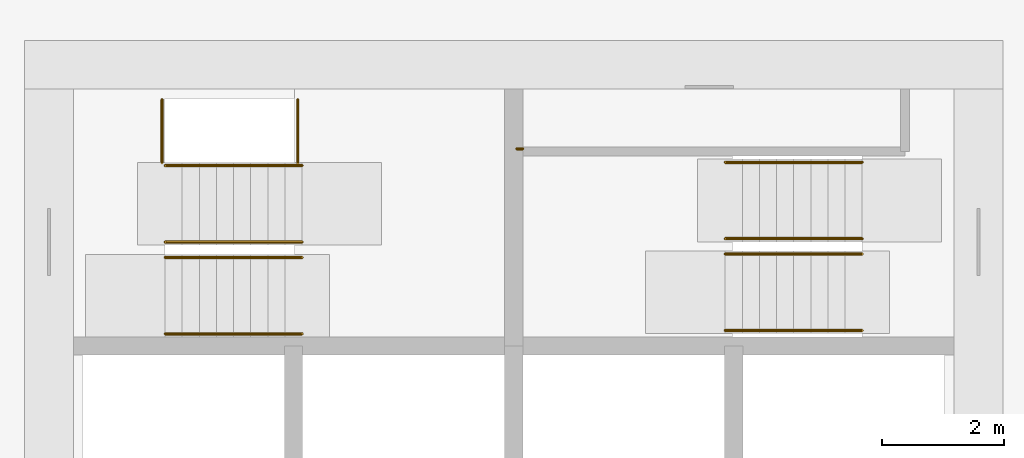
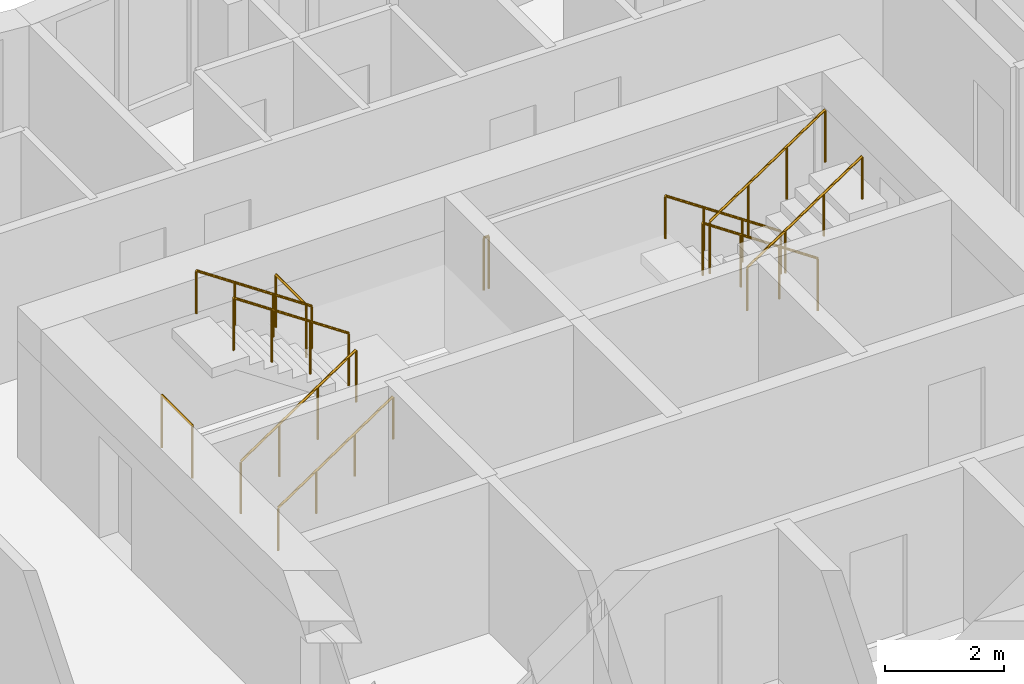
# One storey, part 12 of 13: 11 railings.
"""IFC4 building model written with IfcOpenShell, lengths in metres."""

import ifcopenshell
import ifcopenshell.guid

model = None  # the IFC model being written
_history = None  # IfcOwnerHistory: only IFC2X3 demands one
_inside = {}  # id of a spatial element -> (the spatial element, [elements in it])
_under = {}  # id of a project, library or spatial element -> (it, [spatial elements below it])
_declared = {}  # id of a project -> (the project, [libraries it declares])
_typed = {}  # id of a type object -> (the type object, [elements of that type])
_made_of = {}  # id of a material, layer set ... -> (it, [elements and type objects made of it])


def new_model(schema):
    """Start an empty IFC model of exactly this schema.

    Asked for "IFC4X3", IfcOpenShell would pick the latest addendum, in which some entities
    have other attributes; the version numbers below select the first issue.
    IFC2X3 requires an IfcOwnerHistory on every rooted entity: one is made here for all.
    """
    global model, _history
    if schema == "IFC4X3":
        model = ifcopenshell.file(schema_version=(4, 3, 0, 0))
    else:
        model = ifcopenshell.file(schema=schema)
    _inside.clear()
    _under.clear()
    _declared.clear()
    _typed.clear()
    _made_of.clear()
    _history = None
    if model.schema == "IFC2X3":
        org = make("IfcOrganization", Name="unknown")
        user = make(
            "IfcPersonAndOrganization",
            ThePerson=make("IfcPerson", FamilyName="unknown"),
            TheOrganization=org,
        )
        app = make(
            "IfcApplication",
            ApplicationDeveloper=org,
            Version="unknown",
            ApplicationFullName="unknown",
            ApplicationIdentifier="unknown",
        )
        _history = make(
            "IfcOwnerHistory",
            OwningUser=user,
            OwningApplication=app,
            ChangeAction="ADDED",
            CreationDate=0,
        )
    return model


def make(cls, **values):
    """One entity of the class cls with the attributes given. An attribute that is None is left unset."""
    return model.create_entity(
        cls, **{name: value for name, value in values.items() if value is not None}
    )


def rooted(cls, **values):
    """An entity with a GlobalId (a new one), such as an element, a storey or a relation."""
    return make(cls, GlobalId=ifcopenshell.guid.new(), OwnerHistory=_history, **values)


def si_unit(unit_type, name, prefix=None):
    """IfcSIUnit, for example si_unit("LENGTHUNIT", "METRE", prefix="MILLI")."""
    return make("IfcSIUnit", UnitType=unit_type, Prefix=prefix, Name=name)


def assignment(units):
    """IfcUnitAssignment: the units of a project."""
    return None if units is None else make("IfcUnitAssignment", Units=units)


def point(xyz):
    """IfcCartesianPoint."""
    return None if xyz is None else make("IfcCartesianPoint", Coordinates=xyz)


def direction(xyz):
    """IfcDirection."""
    return None if xyz is None else make("IfcDirection", DirectionRatios=xyz)


def frame(location, z_axis=None, x_axis=None):
    """IfcAxis2Placement3D, a coordinate frame: its origin and axes. An axis left out is left unset."""
    return make(
        "IfcAxis2Placement3D",
        Location=point(location),
        Axis=direction(z_axis),
        RefDirection=direction(x_axis),
    )


def frame_2d(location, x_axis=None):
    """IfcAxis2Placement2D, a coordinate frame in the plane: its origin and x axis."""
    return make(
        "IfcAxis2Placement2D", Location=point(location), RefDirection=direction(x_axis)
    )


def origin():
    """The frame at (0, 0, 0) with its axes left unset."""
    return frame((0.0, 0.0, 0.0))


def origin_2d():
    """The frame at (0, 0) in the plane with its x axis left unset."""
    return frame_2d((0.0, 0.0))


def place(relative_to, where):
    """IfcLocalPlacement: puts the frame where relative to a parent placement (None: the world)."""
    return make(
        "IfcLocalPlacement", PlacementRelTo=relative_to, RelativePlacement=where
    )


def context(
    kind, dimensions, precision=None, world=None, true_north=None, identifier=None
):
    """IfcGeometricRepresentationContext, for example the 3D "Model" context."""
    return make(
        "IfcGeometricRepresentationContext",
        ContextIdentifier=identifier,
        ContextType=kind,
        CoordinateSpaceDimension=dimensions,
        Precision=precision,
        WorldCoordinateSystem=world,
        TrueNorth=true_north,
    )


def subcontext(parent, identifier, kind, view, scale=None):
    """IfcGeometricRepresentationSubContext, for example "Body" below "Model"."""
    return make(
        "IfcGeometricRepresentationSubContext",
        ContextIdentifier=identifier,
        ContextType=kind,
        ParentContext=parent,
        TargetScale=scale,
        TargetView=view,
    )


def project(units=None, contexts=None):
    """IfcProject with its units and contexts."""
    return rooted(
        "IfcProject",
        Name="project",
        RepresentationContexts=contexts,
        UnitsInContext=assignment(units),
    )


def spatial(cls, under=None, at=None, **own):
    """A site, building, storey or space (cls), placed at a placement, below another one or the project."""
    s = rooted(cls, ObjectPlacement=at, **own)
    if under is not None:
        _under.setdefault(under.id(), (under, []))[1].append(s)
    return s


def profile(cls, at=None, kind="AREA", **sizes):
    """A parametric profile (cls). Its sizes go by their IFC names, for example OverallWidth=200.0."""
    return make(cls, ProfileType=kind, Position=at, **sizes)


def circle(**sizes):
    """IfcCircleProfileDef."""
    return profile("IfcCircleProfileDef", **sizes)


def extrude(swept, where, along, depth):
    """IfcExtrudedAreaSolid: the profile swept, set in the frame where, extruded along a direction by depth."""
    return make(
        "IfcExtrudedAreaSolid",
        SweptArea=swept,
        Position=where,
        ExtrudedDirection=direction(along),
        Depth=depth,
    )


def shape(context_of_items, identifier, shape_type, items):
    """IfcShapeRepresentation: the items that make up one representation, for example the "Body"."""
    return make(
        "IfcShapeRepresentation",
        ContextOfItems=context_of_items,
        RepresentationIdentifier=identifier,
        RepresentationType=shape_type,
        Items=items,
    )


def material(Name=None, Category=None):
    """IfcMaterial."""
    return make("IfcMaterial", Name=Name, Category=Category)


def made_of(thing, what):
    """Note that an element or type object is made of a material, layer set ...; save() writes the relation."""
    if what is not None:
        _made_of.setdefault(what.id(), (what, []))[1].append(thing)
    return thing


def type_object(cls, material=None, **own):
    """A type object (cls), such as IfcWallType, which elements share."""
    return made_of(rooted(cls, **own), material)


def element(
    cls,
    number,
    at=None,
    inside=None,
    cuts=None,
    type_object=None,
    material=None,
    context=None,
    identifier="Body",
    shape_type=None,
    held_by="IfcProductDefinitionShape",
    body=None,
    shapes=None,
    **own,
):
    """One element of the class cls, such as IfcWall. Its Tag is "e" and its number.

    at: its placement. inside: the storey or other place that contains it. cuts: it is an
    opening in that element (IfcRelVoidsElement). A single representation is given by context,
    identifier, shape_type and body (its items); several are given by shapes. held_by: the class
    of the entity that holds the representations. save() writes the other relations.
    """
    e = rooted(cls, Tag="e%d" % number, ObjectPlacement=at, **own)
    if body is not None:
        shapes = [shape(context, identifier, shape_type, body)]
    if shapes is not None:
        e.Representation = make(held_by, Representations=shapes)
    if inside is not None:
        _inside.setdefault(inside.id(), (inside, []))[1].append(e)
    if cuts is not None:
        rooted(
            "IfcRelVoidsElement", RelatingBuildingElement=cuts, RelatedOpeningElement=e
        )
    if type_object is not None:
        _typed.setdefault(type_object.id(), (type_object, []))[1].append(e)
    return made_of(e, material)


def aggregate(whole, parts):
    """IfcRelAggregates: a whole, such as a stair, and the parts it consists of."""
    return rooted("IfcRelAggregates", RelatingObject=whole, RelatedObjects=parts)


def save(model, path):
    """Write the relations noted so far, then the file.

    IfcRelAggregates (storeys below a building ...), IfcRelContainedInSpatialStructure (elements
    in a storey), IfcRelDefinesByType, IfcRelAssociatesMaterial and IfcRelDeclares: one each for
    every whole, place, type object, material and project.
    """
    for whole, parts in _under.values():
        aggregate(whole, parts)
    for where, things in _inside.values():
        rooted(
            "IfcRelContainedInSpatialStructure",
            RelatedElements=things,
            RelatingStructure=where,
        )
    for kind, things in _typed.values():
        rooted("IfcRelDefinesByType", RelatedObjects=things, RelatingType=kind)
    for what, things in _made_of.values():
        rooted("IfcRelAssociatesMaterial", RelatedObjects=things, RelatingMaterial=what)
    for by, libraries in _declared.values():
        rooted("IfcRelDeclares", RelatingContext=by, RelatedDefinitions=libraries)
    model.write(path)


model = new_model("IFC4")

# Units and contexts
model_context = context("Model", 3, precision=1e-05, world=origin(), true_north=direction((0.0, 1.0)))
body_context = subcontext(model_context, "Body", "Model", "MODEL_VIEW")
ifc_project = project(units=[si_unit("LENGTHUNIT", "METRE"), si_unit("AREAUNIT", "SQUARE_METRE"), si_unit("VOLUMEUNIT", "CUBIC_METRE"), si_unit("PLANEANGLEUNIT", "RADIAN"), si_unit("MASSUNIT", "GRAM", prefix="KILO")], contexts=[model_context])

# Site, building, storey
site_placement = place(None, origin())
site = spatial("IfcSite", under=ifc_project, at=site_placement, CompositionType="ELEMENT")
building_placement = place(site_placement, origin())
building = spatial("IfcBuilding", under=site, at=building_placement, Name="Windrow Commons", CompositionType="ELEMENT")
storey_placement = place(building_placement, frame((0.0, 0.0, 91.4)))
storey = spatial("IfcBuildingStorey", under=building, at=storey_placement, Name="L24", CompositionType="ELEMENT", Elevation=91.4)

# Railings
ifc_material_1 = material(Name="Steel S355", Category="steel")
railing_type_1 = type_object("IfcRailingType", Name="Core stair guard 1100", PredefinedType="GUARDRAIL", material=ifc_material_1)
railing_1_placement = place(storey_placement, frame((59.1, 62.05, 0.1889)))
element("IfcRailing", 1, at=railing_1_placement, inside=storey, type_object=railing_type_1, Name="L24 ST-A1 stair guard 1", PredefinedType="GUARDRAIL", context=body_context, shape_type="SweptSolid", body=[
    extrude(circle(Radius=0.024, at=origin_2d()), frame((0.0, 0.0, 1.076), z_axis=(0.8290030985, 0.0, 0.5592440099), x_axis=(0.0, 1.0, 0.0)), (0.0, 0.0, 1.0), 2.702),
    extrude(circle(Radius=0.021, at=origin_2d()), origin(), (0.0, 0.0, 1.0), 1.052),
    extrude(circle(Radius=0.021, at=origin_2d()), frame((0.7467, 0.0, 0.5037)), (0.0, 0.0, 1.0), 1.052),
    extrude(circle(Radius=0.021, at=origin_2d()), frame((1.4933, 0.0, 1.0074)), (0.0, 0.0, 1.0), 1.052),
    extrude(circle(Radius=0.021, at=origin_2d()), frame((2.24, 0.0, 1.5111)), (0.0, 0.0, 1.0), 1.052),
])
railing_2_placement = place(storey_placement, frame((61.34, 62.3, 1.8889)))
element("IfcRailing", 2, at=railing_2_placement, inside=storey, type_object=railing_type_1, Name="L24 ST-A1 stair guard 2", PredefinedType="GUARDRAIL", context=body_context, shape_type="SweptSolid", body=[
    extrude(circle(Radius=0.024, at=origin_2d()), frame((0.0, 0.0, 1.076), z_axis=(-0.8290030985, 0.0, 0.5592440099), x_axis=(0.0, -1.0, 0.0)), (0.0, 0.0, 1.0), 2.702),
    extrude(circle(Radius=0.021, at=origin_2d()), origin(), (0.0, 0.0, 1.0), 1.052),
    extrude(circle(Radius=0.021, at=origin_2d()), frame((-0.7467, 0.0, 0.5037)), (0.0, 0.0, 1.0), 1.052),
    extrude(circle(Radius=0.021, at=origin_2d()), frame((-1.4933, 0.0, 1.0074)), (0.0, 0.0, 1.0), 1.052),
    extrude(circle(Radius=0.021, at=origin_2d()), frame((-2.24, 0.0, 1.5111)), (0.0, 0.0, 1.0), 1.052),
])
for number, where, name in (
    (3, (59.05, 63.6, 0.0), "L24 ST-A1 stair guard 3"),
    (4, (61.27, 63.6, 1.7), "L24 ST-A1 stair guard 4"),
):
    element("IfcRailing", number, at=place(storey_placement, frame(where)), inside=storey, type_object=railing_type_1, Name=name, PredefinedType="GUARDRAIL", context=body_context, shape_type="SweptSolid", body=[
        extrude(circle(Radius=0.024, at=origin_2d()), frame((0.0, 0.0, 1.076), z_axis=(0.0, 1.0, 0.0), x_axis=(-1.0, 0.0, 0.0)), (0.0, 0.0, 1.0), 1.03),
        extrude(circle(Radius=0.021, at=origin_2d()), origin(), (0.0, 0.0, 1.0), 1.052),
        extrude(circle(Radius=0.021, at=origin_2d()), frame((0.0, 1.03, 0.0)), (0.0, 0.0, 1.0), 1.052),
    ])
railing_3_placement = place(storey_placement, frame((70.5, 62.355, 0.1889)))
element("IfcRailing", 5, at=railing_3_placement, inside=storey, type_object=railing_type_1, Name="L24 ST-A2 stair guard 1", PredefinedType="GUARDRAIL", context=body_context, shape_type="SweptSolid", body=[
    extrude(circle(Radius=0.024, at=origin_2d()), frame((0.0, 0.0, 1.076), z_axis=(-0.8290030985, 0.0, 0.5592440099), x_axis=(0.0, -1.0, 0.0)), (0.0, 0.0, 1.0), 2.702),
    extrude(circle(Radius=0.021, at=origin_2d()), origin(), (0.0, 0.0, 1.0), 1.052),
    extrude(circle(Radius=0.021, at=origin_2d()), frame((-0.7467, 0.0, 0.5037)), (0.0, 0.0, 1.0), 1.052),
    extrude(circle(Radius=0.021, at=origin_2d()), frame((-1.4933, 0.0, 1.0074)), (0.0, 0.0, 1.0), 1.052),
    extrude(circle(Radius=0.021, at=origin_2d()), frame((-2.24, 0.0, 1.5111)), (0.0, 0.0, 1.0), 1.052),
])
railing_4_placement = place(storey_placement, frame((68.26, 62.105, 1.8889)))
element("IfcRailing", 6, at=railing_4_placement, inside=storey, type_object=railing_type_1, Name="L24 ST-A2 stair guard 2", PredefinedType="GUARDRAIL", context=body_context, shape_type="SweptSolid", body=[
    extrude(circle(Radius=0.024, at=origin_2d()), frame((0.0, 0.0, 1.076), z_axis=(0.8290030985, 0.0, 0.5592440099), x_axis=(0.0, 1.0, 0.0)), (0.0, 0.0, 1.0), 2.702),
    extrude(circle(Radius=0.021, at=origin_2d()), origin(), (0.0, 0.0, 1.0), 1.052),
    extrude(circle(Radius=0.021, at=origin_2d()), frame((0.7467, 0.0, 0.5037)), (0.0, 0.0, 1.0), 1.052),
    extrude(circle(Radius=0.021, at=origin_2d()), frame((1.4933, 0.0, 1.0074)), (0.0, 0.0, 1.0), 1.052),
    extrude(circle(Radius=0.021, at=origin_2d()), frame((2.24, 0.0, 1.5111)), (0.0, 0.0, 1.0), 1.052),
])
railing_5_placement = place(storey_placement, frame((64.95, 63.825, 1.7)))
element("IfcRailing", 7, at=railing_5_placement, inside=storey, type_object=railing_type_1, Name="L24 ST-A2 stair guard 3", PredefinedType="GUARDRAIL", context=body_context, shape_type="SweptSolid", body=[
    extrude(circle(Radius=0.024, at=origin_2d()), frame((0.0, 0.0, 1.076), z_axis=(-1.0, 0.0, 0.0), x_axis=(0.0, -1.0, 0.0)), (0.0, 0.0, 1.0), 0.1),
    extrude(circle(Radius=0.021, at=origin_2d()), origin(), (0.0, 0.0, 1.0), 1.052),
    extrude(circle(Radius=0.021, at=origin_2d()), frame((-0.1, 0.0, 0.0)), (0.0, 0.0, 1.0), 1.052),
])
ifc_material_2 = material(Name="Steel S355", Category="steel")
railing_type_2 = type_object("IfcRailingType", Name="Core stair handrail 900", PredefinedType="HANDRAIL", material=ifc_material_2)
railing_6_placement = place(storey_placement, frame((59.1, 60.8, 0.1889)))
element("IfcRailing", 8, at=railing_6_placement, inside=storey, type_object=railing_type_2, Name="L24 ST-A1 stair handrail 1", PredefinedType="HANDRAIL", context=body_context, shape_type="SweptSolid", body=[
    extrude(circle(Radius=0.024, at=origin_2d()), frame((0.0, 0.0, 0.876), z_axis=(0.8290030985, 0.0, 0.5592440099), x_axis=(0.0, 1.0, 0.0)), (0.0, 0.0, 1.0), 2.702),
    extrude(circle(Radius=0.021, at=origin_2d()), origin(), (0.0, 0.0, 1.0), 0.852),
    extrude(circle(Radius=0.021, at=origin_2d()), frame((0.7467, 0.0, 0.5037)), (0.0, 0.0, 1.0), 0.852),
    extrude(circle(Radius=0.021, at=origin_2d()), frame((1.4933, 0.0, 1.0074)), (0.0, 0.0, 1.0), 0.852),
    extrude(circle(Radius=0.021, at=origin_2d()), frame((2.24, 0.0, 1.5111)), (0.0, 0.0, 1.0), 0.852),
])
for number, where, name in (
    (9, (61.34, 63.55, 1.8889), "L24 ST-A1 stair handrail 2"),
    (10, (70.5, 63.605, 0.1889), "L24 ST-A2 stair handrail 1"),
):
    element("IfcRailing", number, at=place(storey_placement, frame(where)), inside=storey, type_object=railing_type_2, Name=name, PredefinedType="HANDRAIL", context=body_context, shape_type="SweptSolid", body=[
        extrude(circle(Radius=0.024, at=origin_2d()), frame((0.0, 0.0, 0.876), z_axis=(-0.8290030985, 0.0, 0.5592440099), x_axis=(0.0, -1.0, 0.0)), (0.0, 0.0, 1.0), 2.702),
        extrude(circle(Radius=0.021, at=origin_2d()), origin(), (0.0, 0.0, 1.0), 0.852),
        extrude(circle(Radius=0.021, at=origin_2d()), frame((-0.7467, 0.0, 0.5037)), (0.0, 0.0, 1.0), 0.852),
        extrude(circle(Radius=0.021, at=origin_2d()), frame((-1.4933, 0.0, 1.0074)), (0.0, 0.0, 1.0), 0.852),
        extrude(circle(Radius=0.021, at=origin_2d()), frame((-2.24, 0.0, 1.5111)), (0.0, 0.0, 1.0), 0.852),
    ])
railing_7_placement = place(storey_placement, frame((68.26, 60.855, 1.8889)))
element("IfcRailing", 11, at=railing_7_placement, inside=storey, type_object=railing_type_2, Name="L24 ST-A2 stair handrail 2", PredefinedType="HANDRAIL", context=body_context, shape_type="SweptSolid", body=[
    extrude(circle(Radius=0.024, at=origin_2d()), frame((0.0, 0.0, 0.876), z_axis=(0.8290030985, 0.0, 0.5592440099), x_axis=(0.0, 1.0, 0.0)), (0.0, 0.0, 1.0), 2.702),
    extrude(circle(Radius=0.021, at=origin_2d()), origin(), (0.0, 0.0, 1.0), 0.852),
    extrude(circle(Radius=0.021, at=origin_2d()), frame((0.7467, 0.0, 0.5037)), (0.0, 0.0, 1.0), 0.852),
    extrude(circle(Radius=0.021, at=origin_2d()), frame((1.4933, 0.0, 1.0074)), (0.0, 0.0, 1.0), 0.852),
    extrude(circle(Radius=0.021, at=origin_2d()), frame((2.24, 0.0, 1.5111)), (0.0, 0.0, 1.0), 0.852),
])

save(model, "model.ifc")
